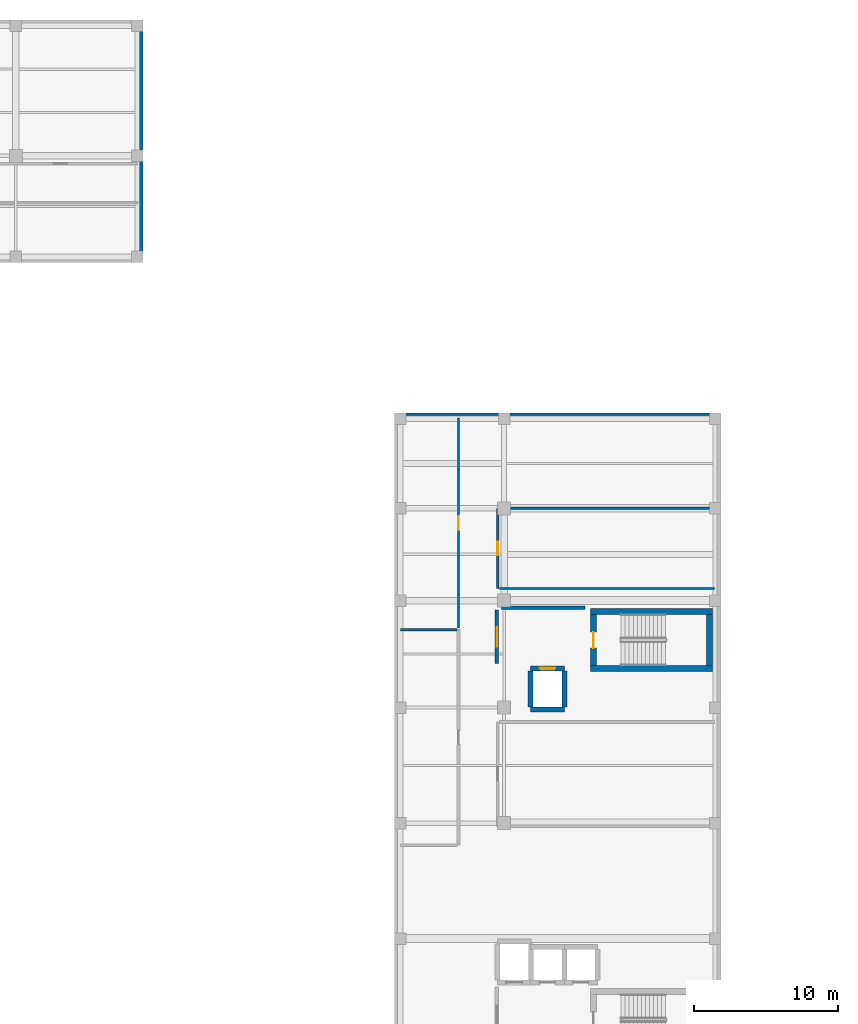
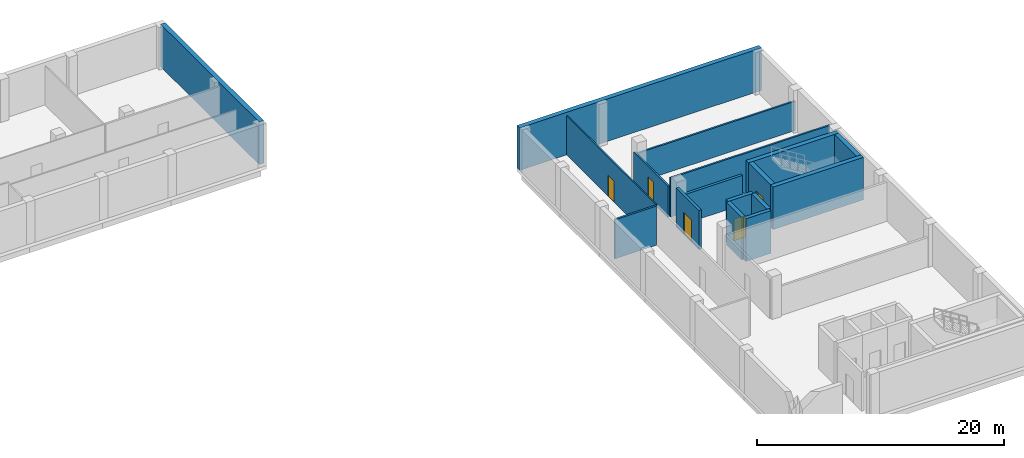
# One storey, part 22 of 31: 17 walls, 5 doors, 5 openings.
"""IFC4 building model written with IfcOpenShell, lengths in metres."""

import ifcopenshell
import ifcopenshell.guid

model = None  # the IFC model being written
_history = None  # IfcOwnerHistory: only IFC2X3 demands one
_inside = {}  # id of a spatial element -> (the spatial element, [elements in it])
_under = {}  # id of a project, library or spatial element -> (it, [spatial elements below it])
_declared = {}  # id of a project -> (the project, [libraries it declares])
_typed = {}  # id of a type object -> (the type object, [elements of that type])
_made_of = {}  # id of a material, layer set ... -> (it, [elements and type objects made of it])


def new_model(schema):
    """Start an empty IFC model of exactly this schema.

    Asked for "IFC4X3", IfcOpenShell would pick the latest addendum, in which some entities
    have other attributes; the version numbers below select the first issue.
    IFC2X3 requires an IfcOwnerHistory on every rooted entity: one is made here for all.
    """
    global model, _history
    if schema == "IFC4X3":
        model = ifcopenshell.file(schema_version=(4, 3, 0, 0))
    else:
        model = ifcopenshell.file(schema=schema)
    _inside.clear()
    _under.clear()
    _declared.clear()
    _typed.clear()
    _made_of.clear()
    _history = None
    if model.schema == "IFC2X3":
        org = make("IfcOrganization", Name="unknown")
        user = make(
            "IfcPersonAndOrganization",
            ThePerson=make("IfcPerson", FamilyName="unknown"),
            TheOrganization=org,
        )
        app = make(
            "IfcApplication",
            ApplicationDeveloper=org,
            Version="unknown",
            ApplicationFullName="unknown",
            ApplicationIdentifier="unknown",
        )
        _history = make(
            "IfcOwnerHistory",
            OwningUser=user,
            OwningApplication=app,
            ChangeAction="ADDED",
            CreationDate=0,
        )
    return model


def make(cls, **values):
    """One entity of the class cls with the attributes given. An attribute that is None is left unset."""
    return model.create_entity(
        cls, **{name: value for name, value in values.items() if value is not None}
    )


def rooted(cls, **values):
    """An entity with a GlobalId (a new one), such as an element, a storey or a relation."""
    return make(cls, GlobalId=ifcopenshell.guid.new(), OwnerHistory=_history, **values)


def si_unit(unit_type, name, prefix=None):
    """IfcSIUnit, for example si_unit("LENGTHUNIT", "METRE", prefix="MILLI")."""
    return make("IfcSIUnit", UnitType=unit_type, Prefix=prefix, Name=name)


def assignment(units):
    """IfcUnitAssignment: the units of a project."""
    return None if units is None else make("IfcUnitAssignment", Units=units)


def point(xyz):
    """IfcCartesianPoint."""
    return None if xyz is None else make("IfcCartesianPoint", Coordinates=xyz)


def direction(xyz):
    """IfcDirection."""
    return None if xyz is None else make("IfcDirection", DirectionRatios=xyz)


def frame(location, z_axis=None, x_axis=None):
    """IfcAxis2Placement3D, a coordinate frame: its origin and axes. An axis left out is left unset."""
    return make(
        "IfcAxis2Placement3D",
        Location=point(location),
        Axis=direction(z_axis),
        RefDirection=direction(x_axis),
    )


def frame_2d(location, x_axis=None):
    """IfcAxis2Placement2D, a coordinate frame in the plane: its origin and x axis."""
    return make(
        "IfcAxis2Placement2D", Location=point(location), RefDirection=direction(x_axis)
    )


def origin():
    """The frame at (0, 0, 0) with its axes left unset."""
    return frame((0.0, 0.0, 0.0))


def place(relative_to, where):
    """IfcLocalPlacement: puts the frame where relative to a parent placement (None: the world)."""
    return make(
        "IfcLocalPlacement", PlacementRelTo=relative_to, RelativePlacement=where
    )


def context(
    kind, dimensions, precision=None, world=None, true_north=None, identifier=None
):
    """IfcGeometricRepresentationContext, for example the 3D "Model" context."""
    return make(
        "IfcGeometricRepresentationContext",
        ContextIdentifier=identifier,
        ContextType=kind,
        CoordinateSpaceDimension=dimensions,
        Precision=precision,
        WorldCoordinateSystem=world,
        TrueNorth=true_north,
    )


def subcontext(parent, identifier, kind, view, scale=None):
    """IfcGeometricRepresentationSubContext, for example "Body" below "Model"."""
    return make(
        "IfcGeometricRepresentationSubContext",
        ContextIdentifier=identifier,
        ContextType=kind,
        ParentContext=parent,
        TargetScale=scale,
        TargetView=view,
    )


def project(units=None, contexts=None):
    """IfcProject with its units and contexts."""
    return rooted(
        "IfcProject",
        Name="project",
        RepresentationContexts=contexts,
        UnitsInContext=assignment(units),
    )


def spatial(cls, under=None, at=None, **own):
    """A site, building, storey or space (cls), placed at a placement, below another one or the project."""
    s = rooted(cls, ObjectPlacement=at, **own)
    if under is not None:
        _under.setdefault(under.id(), (under, []))[1].append(s)
    return s


def profile(cls, at=None, kind="AREA", **sizes):
    """A parametric profile (cls). Its sizes go by their IFC names, for example OverallWidth=200.0."""
    return make(cls, ProfileType=kind, Position=at, **sizes)


def rectangle(**sizes):
    """IfcRectangleProfileDef."""
    return profile("IfcRectangleProfileDef", **sizes)


def extrude(swept, where, along, depth):
    """IfcExtrudedAreaSolid: the profile swept, set in the frame where, extruded along a direction by depth."""
    return make(
        "IfcExtrudedAreaSolid",
        SweptArea=swept,
        Position=where,
        ExtrudedDirection=direction(along),
        Depth=depth,
    )


def shape(context_of_items, identifier, shape_type, items):
    """IfcShapeRepresentation: the items that make up one representation, for example the "Body"."""
    return make(
        "IfcShapeRepresentation",
        ContextOfItems=context_of_items,
        RepresentationIdentifier=identifier,
        RepresentationType=shape_type,
        Items=items,
    )


def material(Name=None, Category=None):
    """IfcMaterial."""
    return make("IfcMaterial", Name=Name, Category=Category)


def layer(
    of_material, thickness, ventilated=None, Name=None, Category=None, Priority=None
):
    """IfcMaterialLayer: one layer of a wall or slab, of a material (None: an air gap)."""
    return make(
        "IfcMaterialLayer",
        Material=of_material,
        LayerThickness=thickness,
        IsVentilated=ventilated,
        Name=Name,
        Category=Category,
        Priority=Priority,
    )


def layer_set(layers, Name=None):
    """IfcMaterialLayerSet."""
    return make("IfcMaterialLayerSet", MaterialLayers=layers, LayerSetName=Name)


def made_of(thing, what):
    """Note that an element or type object is made of a material, layer set ...; save() writes the relation."""
    if what is not None:
        _made_of.setdefault(what.id(), (what, []))[1].append(thing)
    return thing


def type_object(cls, material=None, **own):
    """A type object (cls), such as IfcWallType, which elements share."""
    return made_of(rooted(cls, **own), material)


def element(
    cls,
    number,
    at=None,
    inside=None,
    cuts=None,
    type_object=None,
    material=None,
    context=None,
    identifier="Body",
    shape_type=None,
    held_by="IfcProductDefinitionShape",
    body=None,
    shapes=None,
    **own,
):
    """One element of the class cls, such as IfcWall. Its Tag is "e" and its number.

    at: its placement. inside: the storey or other place that contains it. cuts: it is an
    opening in that element (IfcRelVoidsElement). A single representation is given by context,
    identifier, shape_type and body (its items); several are given by shapes. held_by: the class
    of the entity that holds the representations. save() writes the other relations.
    """
    e = rooted(cls, Tag="e%d" % number, ObjectPlacement=at, **own)
    if body is not None:
        shapes = [shape(context, identifier, shape_type, body)]
    if shapes is not None:
        e.Representation = make(held_by, Representations=shapes)
    if inside is not None:
        _inside.setdefault(inside.id(), (inside, []))[1].append(e)
    if cuts is not None:
        rooted(
            "IfcRelVoidsElement", RelatingBuildingElement=cuts, RelatedOpeningElement=e
        )
    if type_object is not None:
        _typed.setdefault(type_object.id(), (type_object, []))[1].append(e)
    return made_of(e, material)


def fill(opening, filler):
    """IfcRelFillsElement: the door or window that sits in an opening."""
    return rooted(
        "IfcRelFillsElement",
        RelatingOpeningElement=opening,
        RelatedBuildingElement=filler,
    )


def aggregate(whole, parts):
    """IfcRelAggregates: a whole, such as a stair, and the parts it consists of."""
    return rooted("IfcRelAggregates", RelatingObject=whole, RelatedObjects=parts)


def save(model, path):
    """Write the relations noted so far, then the file.

    IfcRelAggregates (storeys below a building ...), IfcRelContainedInSpatialStructure (elements
    in a storey), IfcRelDefinesByType, IfcRelAssociatesMaterial and IfcRelDeclares: one each for
    every whole, place, type object, material and project.
    """
    for whole, parts in _under.values():
        aggregate(whole, parts)
    for where, things in _inside.values():
        rooted(
            "IfcRelContainedInSpatialStructure",
            RelatedElements=things,
            RelatingStructure=where,
        )
    for kind, things in _typed.values():
        rooted("IfcRelDefinesByType", RelatedObjects=things, RelatingType=kind)
    for what, things in _made_of.values():
        rooted("IfcRelAssociatesMaterial", RelatedObjects=things, RelatingMaterial=what)
    for by, libraries in _declared.values():
        rooted("IfcRelDeclares", RelatingContext=by, RelatedDefinitions=libraries)
    model.write(path)


model = new_model("IFC4")

# Units and contexts
model_context = context("Model", 3, precision=1e-05, world=origin(), true_north=direction((0.0, 1.0)))
body_context = subcontext(model_context, "Body", "Model", "MODEL_VIEW")
ifc_project = project(units=[si_unit("LENGTHUNIT", "METRE"), si_unit("AREAUNIT", "SQUARE_METRE"), si_unit("VOLUMEUNIT", "CUBIC_METRE"), si_unit("PLANEANGLEUNIT", "RADIAN"), si_unit("MASSUNIT", "GRAM", prefix="KILO")], contexts=[model_context])

# Site, building, storey
site_placement = place(None, origin())
site = spatial("IfcSite", under=ifc_project, at=site_placement, CompositionType="ELEMENT")
building_placement = place(site_placement, origin())
building = spatial("IfcBuilding", under=site, at=building_placement, Name="Qalavern Law Courts", CompositionType="ELEMENT")
storey_placement = place(building_placement, frame((0.0, 0.0, -4.199951171875)))
storey = spatial("IfcBuildingStorey", under=building, at=storey_placement, Name="B1", CompositionType="ELEMENT", Elevation=-4.199951171875)

# Walls
ifc_material_1 = material(Name="Concrete C35/45", Category="concrete")
ifc_layer_1 = layer(ifc_material_1, 0.429931640625)
ifc_layer_set_1 = layer_set([ifc_layer_1], Name="Concrete C35/45")
wall_type_1 = type_object("IfcWallType", Name="ENV-EW-RET430", PredefinedType="SOLIDWALL", material=ifc_layer_set_1)
wall_1_placement = place(storey_placement, frame((106.800048828125, 85.5849609375, 0.0), z_axis=(0.0, 0.0, 1.0), x_axis=(-1.0, 0.0, 0.0)))
element("IfcWall", 1, at=wall_1_placement, inside=storey, type_object=wall_type_1, Name="V4 basement retaining wall B1 north", PredefinedType="SOLIDWALL", context=body_context, shape_type="SweptSolid", body=[
    extrude(rectangle(XDim=22.60009765625, YDim=0.429931640625, at=frame_2d((11.300048828125, 0.0))), origin(), (0.0, 0.0, 1.0), 4.199951171875),
])
wall_2_placement = place(storey_placement, frame((66.5849609375, 96.625, 0.0), z_axis=(0.0, 0.0, 1.0), x_axis=(0.0, 1.0, 0.0)))
element("IfcWall", 2, at=wall_2_placement, inside=storey, type_object=wall_type_1, Name="V5 basement retaining wall B1 east", PredefinedType="SOLIDWALL", context=body_context, shape_type="SweptSolid", body=[
    extrude(rectangle(XDim=15.949951171875, YDim=0.429931640625, at=frame_2d((7.97509765625, 0.0))), origin(), (0.0, 0.0, 1.0), 4.199951171875),
])
ifc_material_2 = material(Name="Concrete C45/55", Category="concrete")
ifc_layer_2 = layer(ifc_material_2, 0.4150390625)
ifc_layer_set_2 = layer_set([ifc_layer_2], Name="Concrete C45/55")
wall_type_2 = type_object("IfcWallType", Name="INT-CW-415", PredefinedType="SHEAR", material=ifc_layer_set_2)
wall_3_placement = place(storey_placement, frame((97.784912109375, 68.092529296875, 0.0), z_axis=(0.0, 0.0, 1.0), x_axis=(1.0, 0.0, 0.0)))
element("IfcWall", 3, at=wall_3_placement, inside=storey, type_object=wall_type_2, Name="Core K1B stair shear wall B1 south", PredefinedType="SHEAR", context=body_context, shape_type="SweptSolid", body=[
    extrude(rectangle(XDim=8.43017578125, YDim=0.4150390625, at=frame_2d((4.215087890625, 0.0))), origin(), (0.0, 0.0, 1.0), 4.199951171875),
])
wall_4_placement = place(storey_placement, frame((106.007568359375, 68.300048828125, 0.0), z_axis=(0.0, 0.0, 1.0), x_axis=(0.0, 1.0, 0.0)))
element("IfcWall", 4, at=wall_4_placement, inside=storey, type_object=wall_type_2, Name="Core K1B stair shear wall B1 east", PredefinedType="SHEAR", context=body_context, shape_type="SweptSolid", body=[
    extrude(rectangle(XDim=3.550048828125, YDim=0.4150390625, at=frame_2d((1.77490234375, 0.0))), origin(), (0.0, 0.0, 1.0), 4.199951171875),
])
wall_5_placement = place(storey_placement, frame((106.215087890625, 72.0576171875, 0.0), z_axis=(0.0, 0.0, 1.0), x_axis=(-1.0, 0.0, 0.0)))
element("IfcWall", 5, at=wall_5_placement, inside=storey, type_object=wall_type_2, Name="Core K1B stair shear wall B1 north", PredefinedType="SHEAR", context=body_context, shape_type="SweptSolid", body=[
    extrude(rectangle(XDim=8.43017578125, YDim=0.4150390625, at=frame_2d((4.215087890625, 0.0))), origin(), (0.0, 0.0, 1.0), 4.199951171875),
])

# Wall, opening, door
wall_6_placement = place(storey_placement, frame((97.992431640625, 71.85009765625, 0.0), z_axis=(0.0, 0.0, 1.0), x_axis=(0.0, -1.0, 0.0)))
wall_6 = element("IfcWall", 6, at=wall_6_placement, inside=storey, type_object=wall_type_2, Name="Core K1B stair shear wall B1 west", PredefinedType="SHEAR", context=body_context, shape_type="SweptSolid", body=[
    extrude(rectangle(XDim=3.550048828125, YDim=0.4150390625, at=frame_2d((1.77490234375, 0.0))), origin(), (0.0, 0.0, 1.0), 4.199951171875),
])
opening_1_placement = place(wall_6_placement, frame((1.22509765625, 0.0, 0.0)))
opening_1 = element("IfcOpeningElement", 7, at=opening_1_placement, cuts=wall_6, Name="Opening B1-D027", PredefinedType="OPENING", context=body_context, shape_type="SweptSolid", body=[
    extrude(rectangle(XDim=1.10009765625, YDim=2.14990234375, at=frame_2d((0.550048828125, 1.074951171875))), frame((0.0, 0.222412109375, 0.0), z_axis=(0.0, -1.0, 0.0), x_axis=(1.0, 0.0, 0.0)), (0.0, 0.0, 1.0), 0.44482421875),
])
ifc_material_3 = material(Name="Steel fire-rated stair enclosure door", Category="steel")
door_type_1 = type_object("IfcDoorType", Name="INT-FD-1100x2150", OperationType="NOTDEFINED", PredefinedType="DOOR", material=ifc_material_3)
door_1_placement = place(opening_1_placement, frame((1.10009765625, 0.0, 0.0), z_axis=(0.0, 0.0, 1.0), x_axis=(-1.0, 0.0, 0.0)))
door_1 = element("IfcDoor", 8, at=door_1_placement, inside=storey, type_object=door_type_1, Name="Stair K1B fire door B1", OperationType="SINGLE_SWING_RIGHT", OverallHeight=2.14990234375, OverallWidth=1.10009765625, PredefinedType="DOOR", context=body_context, shape_type="SweptSolid", body=[
    extrude(rectangle(XDim=1.10009765625, YDim=2.14990234375, at=frame_2d((0.550048828125, 1.074951171875))), frame((0.0, 0.02490234375, 0.0), z_axis=(0.0, -1.0, 0.0), x_axis=(1.0, 0.0, 0.0)), (0.0, 0.0, 1.0), 0.050048828125),
])
fill(opening_1, door_1)

ifc_material_4 = material(Name="Concrete C40/50", Category="concrete")
ifc_layer_3 = layer(ifc_material_4, 0.2451171875)
ifc_layer_set_3 = layer_set([ifc_layer_3], Name="Concrete C40/50")
wall_type_3 = type_object("IfcWallType", Name="INT-FW-245", PredefinedType="PARTITIONING", material=ifc_layer_set_3)
wall_7_placement = place(storey_placement, frame((91.300048828125, 68.449951171875, 0.0), z_axis=(0.0, 0.0, 1.0), x_axis=(0.0, 1.0, 0.0)))
wall_7 = element("IfcWall", 9, at=wall_7_placement, inside=storey, type_object=wall_type_3, Name="Core K1B firefighting/stair lobby fire wall B1", PredefinedType="PARTITIONING", context=body_context, shape_type="SweptSolid", body=[
    extrude(rectangle(XDim=3.699951171875, YDim=0.2451171875, at=frame_2d((1.85009765625, 0.0))), origin(), (0.0, 0.0, 1.0), 3.85986328125),
])
opening_2_placement = place(wall_7_placement, frame((1.175048828125, 0.0, 0.0)))
opening_2 = element("IfcOpeningElement", 10, at=opening_2_placement, cuts=wall_7, Name="Opening B1-D028", PredefinedType="OPENING", context=body_context, shape_type="SweptSolid", body=[
    extrude(rectangle(XDim=1.35009765625, YDim=2.199951171875, at=frame_2d((0.675048828125, 1.10009765625))), frame((0.0, 0.137451171875, 0.0), z_axis=(0.0, -1.0, 0.0), x_axis=(1.0, 0.0, 0.0)), (0.0, 0.0, 1.0), 0.27490234375),
])
ifc_material_5 = material(Name="Steel fire-rated frame and acoustic timber leaves", Category="steel")
door_type_2 = type_object("IfcDoorType", Name="INT-FD-1350x2200", OperationType="DOUBLE_DOOR_SINGLE_SWING", PredefinedType="DOOR", material=ifc_material_5)
door_2_placement = place(opening_2_placement, origin())
door_2 = element("IfcDoor", 11, at=door_2_placement, inside=storey, type_object=door_type_2, Name="Core K1B lobby fire door B1", OperationType="DOUBLE_DOOR_SINGLE_SWING", OverallHeight=2.199951171875, OverallWidth=1.35009765625, PredefinedType="DOOR", context=body_context, shape_type="SweptSolid", body=[
    extrude(rectangle(XDim=1.35009765625, YDim=2.199951171875, at=frame_2d((0.675048828125, 1.10009765625))), frame((0.0, 0.02490234375, 0.0), z_axis=(0.0, -1.0, 0.0), x_axis=(1.0, 0.0, 0.0)), (0.0, 0.0, 1.0), 0.050048828125),
])
fill(opening_2, door_2)

# Wall
wall_8_placement = place(storey_placement, frame((91.60009765625, 72.300048828125, 0.0), z_axis=(0.0, 0.0, 1.0), x_axis=(1.0, 0.0, 0.0)))
element("IfcWall", 12, at=wall_8_placement, inside=storey, type_object=wall_type_3, Name="Core K1B lobby return wall B1 north", PredefinedType="PARTITIONING", context=body_context, shape_type="SweptSolid", body=[
    extrude(rectangle(XDim=5.7998046875, YDim=0.2451171875, at=frame_2d((2.89990234375, 0.0))), origin(), (0.0, 0.0, 1.0), 2.889892578125),
])

# Wall, opening, door
ifc_material_6 = material(Name="Gypsum stud partition")
ifc_layer_4 = layer(ifc_material_6, 0.1220703125)
ifc_layer_set_4 = layer_set([ifc_layer_4], Name="Gypsum stud partition")
wall_type_4 = type_object("IfcWallType", Name="INT-PW-122", PredefinedType="PARTITIONING", material=ifc_layer_set_4)
wall_9_placement = place(storey_placement, frame((88.639892578125, 70.924072265625, 0.0), z_axis=(0.0, 0.0, 1.0), x_axis=(0.0, 1.0, 0.0)))
wall_9 = element("IfcWall", 13, at=wall_9_placement, inside=storey, type_object=wall_type_4, Name="Accessible WC corridor partition B1", PredefinedType="PARTITIONING", context=body_context, shape_type="SweptSolid", body=[
    extrude(rectangle(XDim=14.495849609375, YDim=0.1220703125, at=frame_2d((7.248046875, 0.0))), origin(), (0.0, 0.0, 1.0), 3.85986328125),
])
opening_3_placement = place(wall_9_placement, frame((6.778076171875, 0.0, 0.0)))
opening_3 = element("IfcOpeningElement", 14, at=opening_3_placement, cuts=wall_9, Name="Opening B1-D247", PredefinedType="OPENING", context=body_context, shape_type="SweptSolid", body=[
    extrude(rectangle(XDim=0.93994140625, YDim=2.070068359375, at=frame_2d((0.469970703125, 1.03515625))), frame((0.0, 0.075927734375, 0.0), z_axis=(0.0, -1.0, 0.0), x_axis=(1.0, 0.0, 0.0)), (0.0, 0.0, 1.0), 0.15185546875),
])
ifc_material_7 = material(Name="Accessible WC outward-clear door")
door_type_3 = type_object("IfcDoorType", Name="INT-ID-940x2070", OperationType="NOTDEFINED", PredefinedType="DOOR", material=ifc_material_7)
door_3_placement = place(opening_3_placement, frame((0.93994140625, 0.0, 0.0), z_axis=(0.0, 0.0, 1.0), x_axis=(-1.0, 0.0, 0.0)))
door_3 = element("IfcDoor", 15, at=door_3_placement, inside=storey, type_object=door_type_3, Name="Accessible WC door B1", OperationType="SINGLE_SWING_RIGHT", OverallHeight=2.070068359375, OverallWidth=0.93994140625, PredefinedType="DOOR", context=body_context, shape_type="SweptSolid", body=[
    extrude(rectangle(XDim=0.93994140625, YDim=2.070068359375, at=frame_2d((0.469970703125, 1.03515625))), frame((0.0, 0.02490234375, 0.0), z_axis=(0.0, -1.0, 0.0), x_axis=(1.0, 0.0, 0.0)), (0.0, 0.0, 1.0), 0.050048828125),
])
fill(opening_3, door_3)

ifc_layer_5 = layer(ifc_material_6, 0.162109375)
ifc_layer_set_5 = layer_set([ifc_layer_5], Name="Gypsum stud partition")
wall_type_5 = type_object("IfcWallType", Name="INT-PW-162", PredefinedType="PARTITIONING", material=ifc_layer_set_5)
wall_10_placement = place(storey_placement, frame((91.360107421875, 73.639892578125, 0.0), z_axis=(0.0, 0.0, 1.0), x_axis=(0.0, 1.0, 0.0)))
wall_10 = element("IfcWall", 16, at=wall_10_placement, inside=storey, type_object=wall_type_5, Name="Accessible WC corridor partition B1", PredefinedType="PARTITIONING", context=body_context, shape_type="SweptSolid", body=[
    extrude(rectangle(XDim=5.55517578125, YDim=0.162109375, at=frame_2d((2.777587890625, 0.0))), origin(), (0.0, 0.0, 1.0), 3.08984375),
])
opening_4_placement = place(wall_10_placement, frame((2.3076171875, 0.0, 0.0)))
opening_4 = element("IfcOpeningElement", 17, at=opening_4_placement, cuts=wall_10, Name="Opening B1-D249", PredefinedType="OPENING", context=body_context, shape_type="SweptSolid", body=[
    extrude(rectangle(XDim=0.93994140625, YDim=2.070068359375, at=frame_2d((0.469970703125, 1.03515625))), frame((0.0, 0.095947265625, 0.0), z_axis=(0.0, -1.0, 0.0), x_axis=(1.0, 0.0, 0.0)), (0.0, 0.0, 1.0), 0.19189453125),
])
door_4_placement = place(opening_4_placement, origin())
door_4 = element("IfcDoor", 18, at=door_4_placement, inside=storey, type_object=door_type_3, Name="Accessible WC door B1", OperationType="SINGLE_SWING_RIGHT", OverallHeight=2.070068359375, OverallWidth=0.93994140625, PredefinedType="DOOR", context=body_context, shape_type="SweptSolid", body=[
    extrude(rectangle(XDim=0.93994140625, YDim=2.070068359375, at=frame_2d((0.469970703125, 1.03515625))), frame((0.0, 0.02490234375, 0.0), z_axis=(0.0, -1.0, 0.0), x_axis=(1.0, 0.0, 0.0)), (0.0, 0.0, 1.0), 0.050048828125),
])
fill(opening_4, door_4)

# Walls
wall_11_placement = place(storey_placement, frame((91.4609375, 73.639892578125, 0.0), z_axis=(0.0, 0.0, 1.0), x_axis=(1.0, 0.0, 0.0)))
element("IfcWall", 19, at=wall_11_placement, inside=storey, type_object=wall_type_5, Name="Accessible WC cross partition B1 south", PredefinedType="PARTITIONING", context=body_context, shape_type="SweptSolid", body=[
    extrude(rectangle(XDim=14.899169921875, YDim=0.162109375, at=frame_2d((7.44970703125, 0.0))), origin(), (0.0, 0.0, 1.0), 3.85986328125),
])
wall_12_placement = place(storey_placement, frame((91.4609375, 79.195068359375, 0.0), z_axis=(0.0, 0.0, 1.0), x_axis=(1.0, 0.0, 0.0)))
element("IfcWall", 20, at=wall_12_placement, inside=storey, type_object=wall_type_5, Name="Accessible WC cross partition B1 north", PredefinedType="PARTITIONING", context=body_context, shape_type="SweptSolid", body=[
    extrude(rectangle(XDim=14.899169921875, YDim=0.162109375, at=frame_2d((7.44970703125, 0.0))), origin(), (0.0, 0.0, 1.0), 2.889892578125),
])
ifc_material_8 = material(Name="Gypsum acoustic stud partition")
ifc_layer_6 = layer(ifc_material_8, 0.174072265625)
ifc_layer_set_6 = layer_set([ifc_layer_6], Name="Gypsum acoustic stud partition")
wall_type_6 = type_object("IfcWallType", Name="INT-PW-174", PredefinedType="PARTITIONING", material=ifc_layer_set_6)
wall_13_placement = place(storey_placement, frame((84.639892578125, 70.803955078125, 0.0), z_axis=(0.0, 0.0, 1.0), x_axis=(1.0, 0.0, 0.0)))
element("IfcWall", 21, at=wall_13_placement, inside=storey, type_object=wall_type_6, Name="Commercial Registry Archives cross partition B1 north", PredefinedType="PARTITIONING", context=body_context, shape_type="SweptSolid", body=[
    extrude(rectangle(XDim=3.89306640625, YDim=0.174072265625, at=frame_2d((1.946533203125, 0.0))), origin(), (0.0, 0.0, 1.0), 3.85986328125),
])
ifc_layer_7 = layer(ifc_material_2, 0.344970703125)
ifc_layer_set_7 = layer_set([ifc_layer_7], Name="Concrete C45/55")
wall_type_7 = type_object("IfcWallType", Name="INT-SW-345", PredefinedType="SHEAR", material=ifc_layer_set_7)
wall_14_placement = place(storey_placement, frame((93.62744140625, 65.277587890625, 0.0), z_axis=(0.0, 0.0, 1.0), x_axis=(1.0, 0.0, 0.0)))
element("IfcWall", 22, at=wall_14_placement, inside=storey, type_object=wall_type_7, Name="Lift LF-FF2 shaft wall B1 south", PredefinedType="SHEAR", context=body_context, shape_type="SweptSolid", body=[
    extrude(rectangle(XDim=2.344970703125, YDim=0.344970703125, at=frame_2d((1.17236328125, 0.0))), origin(), (0.0, 0.0, 1.0), 4.199951171875),
])
wall_15_placement = place(storey_placement, frame((95.972412109375, 65.449951171875, 0.0), z_axis=(0.0, 0.0, 1.0), x_axis=(0.0, 1.0, 0.0)))
element("IfcWall", 23, at=wall_15_placement, inside=storey, type_object=wall_type_7, Name="Lift LF-FF2 shaft wall B1 east", PredefinedType="SHEAR", context=body_context, shape_type="SweptSolid", body=[
    extrude(rectangle(XDim=2.5, YDim=0.344970703125, at=frame_2d((1.25, 0.0))), origin(), (0.0, 0.0, 1.0), 4.199951171875),
])

# Wall, opening, door
wall_16_placement = place(storey_placement, frame((95.972412109375, 68.12255859375, 0.0), z_axis=(0.0, 0.0, 1.0), x_axis=(-1.0, 0.0, 0.0)))
wall_16 = element("IfcWall", 24, at=wall_16_placement, inside=storey, type_object=wall_type_7, Name="Lift LF-FF2 shaft wall B1 north", PredefinedType="SHEAR", context=body_context, shape_type="SweptSolid", body=[
    extrude(rectangle(XDim=2.344970703125, YDim=0.344970703125, at=frame_2d((1.17236328125, 0.0))), origin(), (0.0, 0.0, 1.0), 4.199951171875),
])
opening_5_placement = place(wall_16_placement, frame((0.62255859375, 0.0, 0.0)))
opening_5 = element("IfcOpeningElement", 25, at=opening_5_placement, cuts=wall_16, Name="Opening LD-LF-FF2-B1", PredefinedType="OPENING", context=body_context, shape_type="SweptSolid", body=[
    extrude(rectangle(XDim=1.10009765625, YDim=2.159912109375, at=frame_2d((0.550048828125, 1.080078125))), frame((0.0, 0.1875, 0.0), z_axis=(0.0, -1.0, 0.0), x_axis=(1.0, 0.0, 0.0)), (0.0, 0.0, 1.0), 0.374755859375),
])
ifc_material_9 = material(Name="Stainless steel firefighting lift sliding landing door", Category="steel")
door_type_4 = type_object("IfcDoorType", Name="INT-LD-1100x2160", OperationType="DOUBLE_DOOR_SLIDING", PredefinedType="DOOR", material=ifc_material_9)
door_5_placement = place(opening_5_placement, origin())
door_5 = element("IfcDoor", 26, at=door_5_placement, inside=storey, type_object=door_type_4, Name="Lift LF-FF2 sliding landing door B1", OperationType="DOUBLE_DOOR_SLIDING", OverallHeight=2.159912109375, OverallWidth=1.10009765625, PredefinedType="DOOR", context=body_context, shape_type="SweptSolid", body=[
    extrude(rectangle(XDim=1.10009765625, YDim=2.159912109375, at=frame_2d((0.550048828125, 1.080078125))), frame((0.0, 0.02490234375, 0.0), z_axis=(0.0, -1.0, 0.0), x_axis=(1.0, 0.0, 0.0)), (0.0, 0.0, 1.0), 0.050048828125),
])
fill(opening_5, door_5)

# Wall
wall_17_placement = place(storey_placement, frame((93.62744140625, 67.949951171875, 0.0), z_axis=(0.0, 0.0, 1.0), x_axis=(0.0, -1.0, 0.0)))
element("IfcWall", 27, at=wall_17_placement, inside=storey, type_object=wall_type_7, Name="Lift LF-FF2 shaft wall B1 west", PredefinedType="SHEAR", context=body_context, shape_type="SweptSolid", body=[
    extrude(rectangle(XDim=2.5, YDim=0.344970703125, at=frame_2d((1.25, 0.0))), origin(), (0.0, 0.0, 1.0), 4.199951171875),
])

save(model, "model.ifc")
